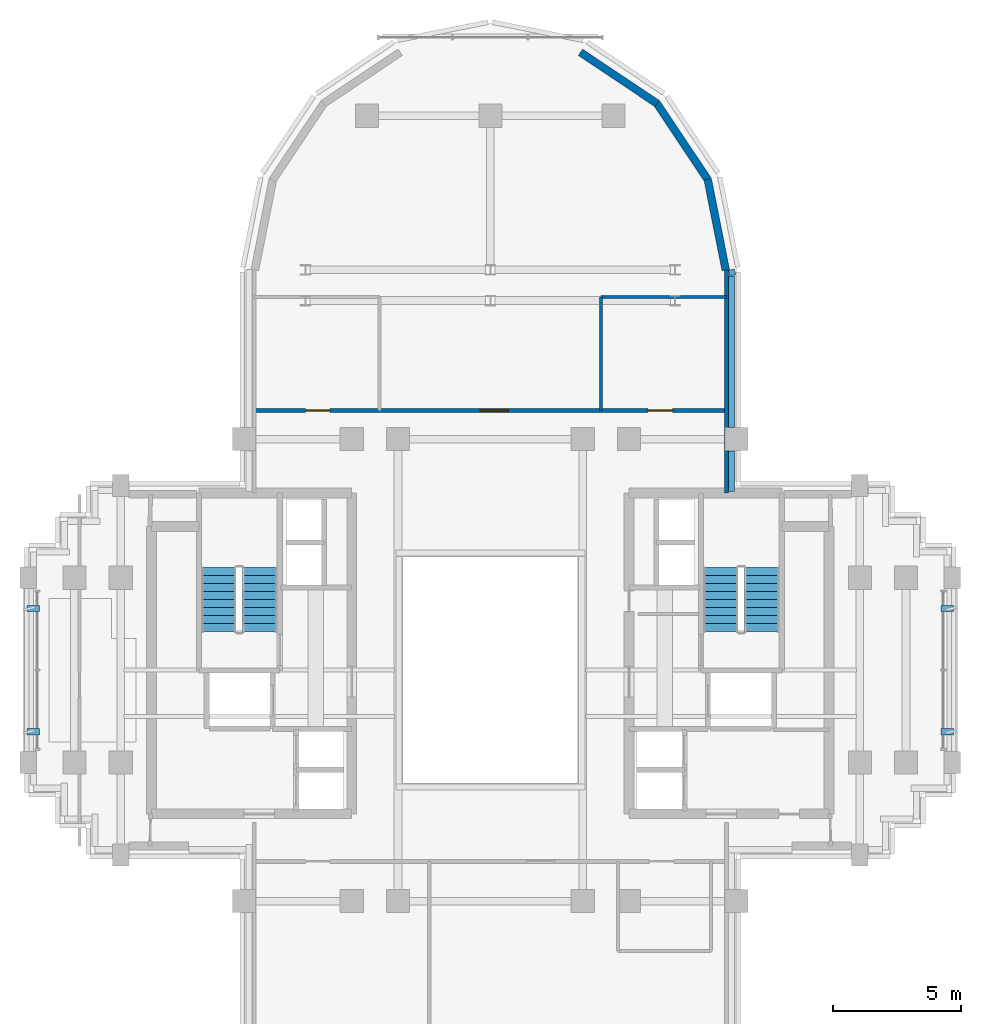
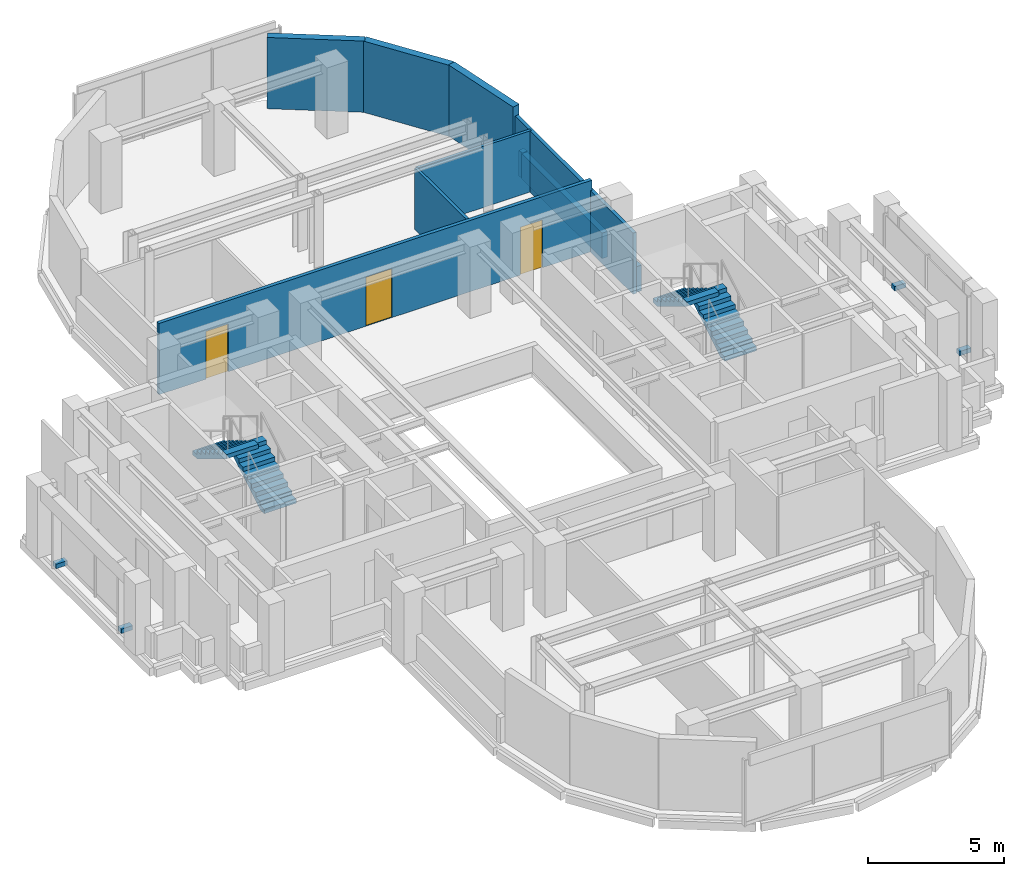
# One storey, part 8 of 11: 10 walls, 4 discrete accessories, 4 stair flights, 3 doors, 3 openings, 2 elements without a shape of their own.
"""IFC4 building model written with IfcOpenShell, lengths in metres."""

from ifc_helpers import new_model, si_unit, direction, frame, frame_2d, origin, origin_2d, place, context, subcontext, project, spatial, polyline, rectangle, outline, extrude, source, transform, mapped, material, layer, layer_set, type_object, element, fill, aggregate, save


model = new_model("IFC4")

# Units and contexts
model_context = context("Model", 3, precision=1e-05, world=origin(), true_north=direction((0.0, 1.0)))
body_context = subcontext(model_context, "Body", "Model", "MODEL_VIEW")
ifc_project = project(units=[si_unit("LENGTHUNIT", "METRE"), si_unit("AREAUNIT", "SQUARE_METRE"), si_unit("VOLUMEUNIT", "CUBIC_METRE"), si_unit("PLANEANGLEUNIT", "RADIAN"), si_unit("MASSUNIT", "GRAM", prefix="KILO")], contexts=[model_context])

# Site, building, storey
site_placement = place(None, origin())
site = spatial("IfcSite", under=ifc_project, at=site_placement, CompositionType="ELEMENT")
building_placement = place(site_placement, origin())
building = spatial("IfcBuilding", under=site, at=building_placement, Name="Keilestroom Media Tower", CompositionType="ELEMENT")
storey_placement = place(building_placement, frame((0.0, 0.0, 170.60009765625)))
storey = spatial("IfcBuildingStorey", under=building, at=storey_placement, Name="L46", CompositionType="ELEMENT", Elevation=170.60009765625)

# Walls
ifc_material_1 = material(Name="Precast concrete C40/50", Category="concrete")
ifc_layer_1 = layer(ifc_material_1, 0.300048828125)
ifc_layer_set_1 = layer_set([ifc_layer_1], Name="Precast concrete C40/50")
wall_type_1 = type_object("IfcWallType", Name="Exterior-Masonry-Spandrel-Wall-300", PredefinedType="SOLIDWALL", material=ifc_layer_set_1)
for number, where, z_axis, x_axis, name in (
    (1, (9.1748046875, 15.585205078125, 0.0), (0.0, 0.0, 1.0), (-0.195114232679, 0.980780523974, 0.0), "L46 Lobe Facet Precast Frame Wall 01"),
    (2, (8.48193359375, 19.097412109375, 0.0), (0.0, 0.0, 1.0), (-0.555574187116, 0.831466970246, 0.0), "L46 Lobe Facet Precast Frame Wall 02"),
):
    element("IfcWall", number, at=place(storey_placement, frame(where, z_axis=z_axis, x_axis=x_axis)), inside=storey, type_object=wall_type_1, Name=name, PredefinedType="SOLIDWALL", context=body_context, shape_type="SweptSolid", body=[
        extrude(rectangle(XDim=3.608642578125, YDim=0.300048828125, at=frame_2d((1.80419921875, 0.0))), origin(), (0.0, 0.0, 1.0), 3.199951171875),
    ])
wall_1_placement = place(storey_placement, frame((6.497802734375, 22.0771484375, 0.0), z_axis=(0.0, 0.0, 1.0), x_axis=(-0.8314749531, 0.555562239868, 0.0)))
element("IfcWall", 3, at=wall_1_placement, inside=storey, type_object=wall_type_1, Name="L46 Lobe Facet Precast Frame Wall 03", PredefinedType="SOLIDWALL", context=body_context, shape_type="SweptSolid", body=[
    extrude(rectangle(XDim=3.59326171875, YDim=0.300048828125, at=frame_2d((1.796630859375, 0.0))), origin(), (0.0, 0.0, 1.0), 3.199951171875),
])
ifc_material_2 = material(Name="Gypsum Plasterboard & Steel Stud", Category="steel")
ifc_layer_2 = layer(ifc_material_2, 0.1201171875)
ifc_layer_set_2 = layer_set([ifc_layer_2], Name="Gypsum Plasterboard & Steel Stud")
wall_type_2 = type_object("IfcWallType", Name="Interior-Partition-Wall-120", PredefinedType="PARTITIONING", material=ifc_layer_set_2)
wall_2_placement = place(storey_placement, frame((4.320068359375, 14.5400390625, 0.0), z_axis=(0.0, 0.0, 1.0), x_axis=(1.0, 0.0, 0.0)))
element("IfcWall", 4, at=wall_2_placement, inside=storey, type_object=wall_type_2, Name="L46 Interior Wall WP-L46-NL-HE", PredefinedType="PARTITIONING", context=body_context, shape_type="SweptSolid", body=[
    extrude(rectangle(XDim=4.8798828125, YDim=0.1201171875, at=frame_2d((2.43994140625, 0.0))), origin(), (0.0, 0.0, 1.0), 2.75),
])
wall_3_placement = place(storey_placement, frame((4.320068359375, 10.1201171875, 0.0), z_axis=(0.0, 0.0, 1.0), x_axis=(0.0, 1.0, 0.0)))
element("IfcWall", 5, at=wall_3_placement, inside=storey, type_object=wall_type_2, Name="L46 Interior Wall WP-L46-NL-VE2", PredefinedType="PARTITIONING", context=body_context, shape_type="SweptSolid", body=[
    extrude(rectangle(XDim=4.419921875, YDim=0.1201171875, at=frame_2d((2.2099609375, 0.0))), origin(), (0.0, 0.0, 1.0), 2.75),
])

# Wall, openings, doors
ifc_layer_3 = layer(ifc_material_2, 0.14990234375)
ifc_layer_set_3 = layer_set([ifc_layer_3], Name="Gypsum Plasterboard & Steel Stud")
wall_type_3 = type_object("IfcWallType", Name="Interior-Partition-Wall-150", PredefinedType="PARTITIONING", material=ifc_layer_set_3)
wall_4_placement = place(storey_placement, frame((-9.199951171875, 10.1201171875, 0.0), z_axis=(0.0, 0.0, 1.0), x_axis=(1.0, 0.0, 0.0)))
wall_4 = element("IfcWall", 6, at=wall_4_placement, inside=storey, type_object=wall_type_3, Name="L46 Interior Wall WP-L46-NL-BASE", PredefinedType="PARTITIONING", context=body_context, shape_type="SweptSolid", body=[
    extrude(rectangle(XDim=18.39990234375, YDim=0.14990234375, at=frame_2d((9.199951171875, 0.0))), origin(), (0.0, 0.0, 1.0), 3.199951171875),
])
opening_1_placement = place(wall_4_placement, frame((2.0, 0.0, 0.0)))
opening_1 = element("IfcOpeningElement", 7, at=opening_1_placement, cuts=wall_4, Name="Opening DI-03", PredefinedType="OPENING", context=body_context, shape_type="SweptSolid", body=[
    extrude(rectangle(XDim=0.949951171875, YDim=2.14990234375, at=frame_2d((0.47509765625, 1.074951171875))), frame((0.0, 0.0849609375, 0.0), z_axis=(0.0, -1.0, 0.0), x_axis=(1.0, 0.0, 0.0)), (0.0, 0.0, 1.0), 0.169921875),
])
opening_2_placement = place(wall_4_placement, frame((15.35009765625, 0.0, 0.0)))
opening_2 = element("IfcOpeningElement", 8, at=opening_2_placement, cuts=wall_4, Name="Opening DI-03", PredefinedType="OPENING", context=body_context, shape_type="SweptSolid", body=[
    extrude(rectangle(XDim=0.949951171875, YDim=2.14990234375, at=frame_2d((0.47509765625, 1.074951171875))), frame((0.0, 0.0849609375, 0.0), z_axis=(0.0, -1.0, 0.0), x_axis=(1.0, 0.0, 0.0)), (0.0, 0.0, 1.0), 0.169921875),
])
opening_3_placement = place(wall_4_placement, frame((8.800048828125, 0.0, 0.0)))
opening_3 = element("IfcOpeningElement", 9, at=opening_3_placement, cuts=wall_4, Name="Opening DI-04", PredefinedType="OPENING", context=body_context, shape_type="SweptSolid", body=[
    extrude(rectangle(XDim=1.10009765625, YDim=2.199951171875, at=frame_2d((0.550048828125, 1.10009765625))), frame((0.0, 0.0849609375, 0.0), z_axis=(0.0, -1.0, 0.0), x_axis=(1.0, 0.0, 0.0)), (0.0, 0.0, 1.0), 0.169921875),
])
ifc_material_3 = material(Name="Lacquered European Oak Leaf", Category="wood")
door_type_1 = type_object("IfcDoorType", Name="Interior-Room-And-Suite-Door-DI-03", OperationType="NOTDEFINED", PredefinedType="DOOR", material=ifc_material_3)
shared_shape_1 = source(origin(), body_context, "Body", "SweptSolid", [
    extrude(rectangle(XDim=0.949951171875, YDim=2.14990234375, at=frame_2d((0.47509765625, 1.074951171875))), frame((0.0, 0.02490234375, 0.0), z_axis=(0.0, -1.0, 0.0), x_axis=(1.0, 0.0, 0.0)), (0.0, 0.0, 1.0), 0.050048828125),
])
door_1_placement = place(opening_1_placement, origin())
door_1 = element("IfcDoor", 10, at=door_1_placement, inside=storey, type_object=door_type_1, Name="L46 Interior Door DI-L46-DNL-FRW", OperationType="SINGLE_SWING_LEFT", OverallHeight=2.14990234375, OverallWidth=0.949951171875, PredefinedType="DOOR", context=body_context, shape_type="MappedRepresentation", body=[
    mapped(shared_shape_1, transform((0.0, 0.0, 0.0), x_axis=(1.0, 0.0, 0.0), y_axis=(0.0, 1.0, 0.0), z_axis=(0.0, 0.0, 1.0), scale=1.0)),
])
fill(opening_1, door_1)
door_2_placement = place(opening_2_placement, origin())
door_2 = element("IfcDoor", 11, at=door_2_placement, inside=storey, type_object=door_type_1, Name="L46 Interior Door DI-L46-DNL-FRE", OperationType="SINGLE_SWING_RIGHT", OverallHeight=2.14990234375, OverallWidth=0.949951171875, PredefinedType="DOOR", context=body_context, shape_type="MappedRepresentation", body=[
    mapped(shared_shape_1, transform((0.0, 0.0, 0.0), x_axis=(1.0, 0.0, 0.0), y_axis=(0.0, 1.0, 0.0), z_axis=(0.0, 0.0, 1.0), scale=1.0)),
])
fill(opening_2, door_2)
ifc_material_4 = material(Name="Acoustic Glazed Aluminium Leaf", Category="aluminium")
door_type_2 = type_object("IfcDoorType", Name="Interior-Room-And-Suite-Door-DI-04", OperationType="NOTDEFINED", PredefinedType="DOOR", material=ifc_material_4)
shared_shape_2 = source(origin(), body_context, "Body", "SweptSolid", [
    extrude(rectangle(XDim=1.10009765625, YDim=2.199951171875, at=frame_2d((0.550048828125, 1.10009765625))), frame((0.0, 0.02490234375, 0.0), z_axis=(0.0, -1.0, 0.0), x_axis=(1.0, 0.0, 0.0)), (0.0, 0.0, 1.0), 0.050048828125),
])
door_3_placement = place(opening_3_placement, origin())
door_3 = element("IfcDoor", 12, at=door_3_placement, inside=storey, type_object=door_type_2, Name="L46 Interior Door DI-L46-DNL-REAR", OperationType="SINGLE_SWING_LEFT", OverallHeight=2.199951171875, OverallWidth=1.10009765625, PredefinedType="DOOR", context=body_context, shape_type="MappedRepresentation", body=[
    mapped(shared_shape_2, transform((0.0, 0.0, 0.0), x_axis=(1.0, 0.0, 0.0), y_axis=(0.0, 1.0, 0.0), z_axis=(0.0, 0.0, 1.0), scale=1.0)),
])
fill(opening_3, door_3)

# Walls
wall_5_placement = place(storey_placement, frame((9.199951171875, 6.89990234375, 0.0), z_axis=(0.0, 0.0, 1.0), x_axis=(0.0, 1.0, 0.0)))
element("IfcWall", 13, at=wall_5_placement, inside=storey, type_object=wall_type_3, Name="L46 Interior Wall WP-L46-NL-CHKE", PredefinedType="PARTITIONING", context=body_context, shape_type="SweptSolid", body=[
    extrude(rectangle(XDim=8.780029296875, YDim=0.14990234375, at=frame_2d((4.39013671875, 0.0))), origin(), (0.0, 0.0, 1.0), 2.75),
])
ifc_layer_4 = layer(ifc_material_1, 0.239990234375)
ifc_layer_set_4 = layer_set([ifc_layer_4], Name="Precast concrete C40/50")
wall_type_4 = type_object("IfcWallType", Name="Roof-And-Terrace-Parapet-Wall-240", PredefinedType="PARAPET", material=ifc_layer_set_4)
wall_6_placement = place(storey_placement, frame((9.395263671875, 15.604248046875, 0.0), z_axis=(0.0, 0.0, 1.0), x_axis=(0.194652052864, -0.980872355771, 0.0)))
element("IfcWall", 14, at=wall_6_placement, inside=storey, type_object=wall_type_4, Name="L46 Perimeter Edge Parapet Wall 29", PredefinedType="PARAPET", context=body_context, shape_type="SweptSolid", body=[
    extrude(rectangle(XDim=0.224609375, YDim=0.239990234375, at=frame_2d((0.1123046875, 0.0))), origin(), (0.0, 0.0, 1.0), 1.14990234375),
])
wall_7_placement = place(storey_placement, frame((9.39990234375, 15.357666015625, 0.0), z_axis=(0.0, 0.0, 1.0), x_axis=(0.0, -1.0, 0.0)))
element("IfcWall", 15, at=wall_7_placement, inside=storey, type_object=wall_type_4, Name="L46 Perimeter Edge Parapet Wall 30", PredefinedType="PARAPET", context=body_context, shape_type="SweptSolid", body=[
    extrude(rectangle(XDim=5.90478515625, YDim=0.239990234375, at=frame_2d((2.952392578125, 0.0))), origin(), (0.0, 0.0, 1.0), 1.14990234375),
])
wall_8_placement = place(storey_placement, frame((9.39990234375, 8.547119140625, 0.0), z_axis=(0.0, 0.0, 1.0), x_axis=(0.0, -1.0, 0.0)))
element("IfcWall", 16, at=wall_8_placement, inside=storey, type_object=wall_type_4, Name="L46 Perimeter Edge Parapet Wall 31", PredefinedType="PARAPET", context=body_context, shape_type="SweptSolid", body=[
    extrude(rectangle(XDim=1.59423828125, YDim=0.239990234375, at=frame_2d((0.797119140625, 0.0))), origin(), (0.0, 0.0, 1.0), 1.14990234375),
])

# Stair, stair flights
ifc_material_5 = material(Name="Concrete C45/55", Category="concrete")
stair_type = type_object("IfcStairType", Name="Enclosed-Dog-Leg-Stair-ST-CORE", PredefinedType="HALF_TURN_STAIR", material=ifc_material_5)
stair_1_placement = place(storey_placement, origin())
stair_1 = element("IfcStair", 17, at=stair_1_placement, inside=storey, type_object=stair_type, Name="L46 West Core Escape Stair ST-1", PredefinedType="HALF_TURN_STAIR")
stair_flight_type = type_object("IfcStairFlightType", Name="Precast-Concrete-Stair-Flight-Core-160", PredefinedType="STRAIGHT", material=ifc_material_1)
stair_flight_1_placement = place(storey_placement, frame((-8.97998046875, 1.5, 0.0), z_axis=(0.0, 0.0, 1.0), x_axis=(0.0, 1.0, 0.0)))
stair_flight_1 = element("IfcStairFlight", 18, at=stair_flight_1_placement, type_object=stair_flight_type, Name="ST-1 flight 1", NumberOfRisers=9, NumberOfTreads=8, PredefinedType="STRAIGHT", RiserHeight=0.188888889, TreadLength=0.312, context=body_context, shape_type="SweptSolid", body=[
    extrude(outline(polyline([(0.0, 0.0), (0.0, 0.18896484375), (0.31201171875, 0.18896484375), (0.31201171875, 0.377685546875), (0.6240234375, 0.377685546875), (0.6240234375, 0.566650390625), (0.93603515625, 0.566650390625), (0.93603515625, 0.755615234375), (1.248046875, 0.755615234375), (1.248046875, 0.9443359375), (1.56005859375, 0.9443359375), (1.56005859375, 1.13330078125), (1.8720703125, 1.13330078125), (1.8720703125, 1.322265625), (2.18408203125, 1.322265625), (2.18408203125, 1.51123046875), (2.49609375, 1.51123046875), (2.49609375, 1.699951171875), (2.49609375, 1.32421875), (0.308837890625, 0.0), (0.0, 0.0)])), frame((0.0, 0.68017578125, 0.0), z_axis=(0.0, -1.0, 0.0), x_axis=(1.0, 0.0, 0.0)), (0.0, 0.0, 1.0), 1.360107421875),
])
stair_flight_2_placement = place(storey_placement, frame((-10.580078125, 3.99609375, 1.699951171875), z_axis=(0.0, 0.0, 1.0), x_axis=(0.0, -1.0, 0.0)))
stair_flight_2 = element("IfcStairFlight", 19, at=stair_flight_2_placement, type_object=stair_flight_type, Name="ST-1 flight 2", NumberOfRisers=9, NumberOfTreads=8, PredefinedType="STRAIGHT", RiserHeight=0.188888889, TreadLength=0.312, context=body_context, shape_type="SweptSolid", body=[
    extrude(outline(polyline([(0.0, 0.0), (0.0, 0.18896484375), (0.31201171875, 0.18896484375), (0.31201171875, 0.377685546875), (0.6240234375, 0.377685546875), (0.6240234375, 0.566650390625), (0.93603515625, 0.566650390625), (0.93603515625, 0.755615234375), (1.248046875, 0.755615234375), (1.248046875, 0.9443359375), (1.56005859375, 0.9443359375), (1.56005859375, 1.13330078125), (1.8720703125, 1.13330078125), (1.8720703125, 1.322265625), (2.18408203125, 1.322265625), (2.18408203125, 1.51123046875), (2.49609375, 1.51123046875), (2.49609375, 1.699951171875), (2.49609375, 1.32421875), (0.308837890625, 0.0), (0.0, 0.0)])), frame((0.0, 0.68017578125, 0.0), z_axis=(0.0, -1.0, 0.0), x_axis=(1.0, 0.0, 0.0)), (0.0, 0.0, 1.0), 1.360107421875),
])
aggregate(stair_1, [stair_flight_1, stair_flight_2])

stair_2_placement = place(storey_placement, origin())
stair_2 = element("IfcStair", 20, at=stair_2_placement, inside=storey, type_object=stair_type, Name="L46 East Core Escape Stair ST-2", PredefinedType="HALF_TURN_STAIR")
stair_flight_3_placement = place(storey_placement, frame((10.580078125, 1.5, 0.0), z_axis=(0.0, 0.0, 1.0), x_axis=(0.0, 1.0, 0.0)))
stair_flight_3 = element("IfcStairFlight", 21, at=stair_flight_3_placement, type_object=stair_flight_type, Name="ST-2 flight 1", NumberOfRisers=9, NumberOfTreads=8, PredefinedType="STRAIGHT", RiserHeight=0.188888889, TreadLength=0.312, context=body_context, shape_type="SweptSolid", body=[
    extrude(outline(polyline([(0.0, 0.0), (0.0, 0.18896484375), (0.31201171875, 0.18896484375), (0.31201171875, 0.377685546875), (0.6240234375, 0.377685546875), (0.6240234375, 0.566650390625), (0.93603515625, 0.566650390625), (0.93603515625, 0.755615234375), (1.248046875, 0.755615234375), (1.248046875, 0.9443359375), (1.56005859375, 0.9443359375), (1.56005859375, 1.13330078125), (1.8720703125, 1.13330078125), (1.8720703125, 1.322265625), (2.18408203125, 1.322265625), (2.18408203125, 1.51123046875), (2.49609375, 1.51123046875), (2.49609375, 1.699951171875), (2.49609375, 1.32421875), (0.308837890625, 0.0), (0.0, 0.0)])), frame((0.0, 0.68017578125, 0.0), z_axis=(0.0, -1.0, 0.0), x_axis=(1.0, 0.0, 0.0)), (0.0, 0.0, 1.0), 1.360107421875),
])
stair_flight_4_placement = place(storey_placement, frame((8.97998046875, 3.99609375, 1.699951171875), z_axis=(0.0, 0.0, 1.0), x_axis=(0.0, -1.0, 0.0)))
stair_flight_4 = element("IfcStairFlight", 22, at=stair_flight_4_placement, type_object=stair_flight_type, Name="ST-2 flight 2", NumberOfRisers=9, NumberOfTreads=8, PredefinedType="STRAIGHT", RiserHeight=0.188888889, TreadLength=0.312, context=body_context, shape_type="SweptSolid", body=[
    extrude(outline(polyline([(0.0, 0.0), (0.0, 0.18896484375), (0.31201171875, 0.18896484375), (0.31201171875, 0.377685546875), (0.6240234375, 0.377685546875), (0.6240234375, 0.566650390625), (0.93603515625, 0.566650390625), (0.93603515625, 0.755615234375), (1.248046875, 0.755615234375), (1.248046875, 0.9443359375), (1.56005859375, 0.9443359375), (1.56005859375, 1.13330078125), (1.8720703125, 1.13330078125), (1.8720703125, 1.322265625), (2.18408203125, 1.322265625), (2.18408203125, 1.51123046875), (2.49609375, 1.51123046875), (2.49609375, 1.699951171875), (2.49609375, 1.32421875), (0.308837890625, 0.0), (0.0, 0.0)])), frame((0.0, 0.68017578125, 0.0), z_axis=(0.0, -1.0, 0.0), x_axis=(1.0, 0.0, 0.0)), (0.0, 0.0, 1.0), 1.360107421875),
])
aggregate(stair_2, [stair_flight_3, stair_flight_4])

# Discrete accessories
ifc_material_6 = material(Name="Stainless Steel 1.4401", Category="steel")
discrete_accessory_type = type_object("IfcDiscreteAccessoryType", Name="Facade-Fin-Fixing-Bracket-BRK-1", PredefinedType="BRACKET", material=ifc_material_6)
shared_shape_3 = source(origin(), body_context, "Body", "SweptSolid", [
    extrude(rectangle(XDim=0.47998046875, YDim=0.239990234375, at=origin_2d()), origin(), (0.0, 0.0, 1.0), 0.199951171875),
])
for number, where, z_axis, x_axis, name in (
    (23, (-17.81005859375, -2.39990234375, -0.01025390625), (0.0, 0.0, 1.0), (1.0, 0.0, 0.0), "L46 Sunshade Fin Bracket BRK-1 061"),
    (24, (-17.81005859375, 2.39990234375, -0.01025390625), (0.0, 0.0, 1.0), (1.0, 0.0, 0.0), "L46 Sunshade Fin Bracket BRK-1 062"),
    (25, (17.81005859375, -2.39990234375, -0.01025390625), (0.0, 0.0, 1.0), (1.0, 0.0, 0.0), "L46 Sunshade Fin Bracket BRK-1 063"),
    (26, (17.81005859375, 2.39990234375, -0.01025390625), (0.0, 0.0, 1.0), (1.0, 0.0, 0.0), "L46 Sunshade Fin Bracket BRK-1 064"),
):
    element("IfcDiscreteAccessory", number, at=place(storey_placement, frame(where, z_axis=z_axis, x_axis=x_axis)), inside=storey, type_object=discrete_accessory_type, Name=name, PredefinedType="BRACKET", context=body_context, shape_type="MappedRepresentation", body=[
        mapped(shared_shape_3, transform((0.0, 0.0, 0.0), x_axis=(1.0, 0.0, 0.0), y_axis=(0.0, 1.0, 0.0), z_axis=(0.0, 0.0, 1.0), scale=1.0)),
    ])

save(model, "model.ifc")
